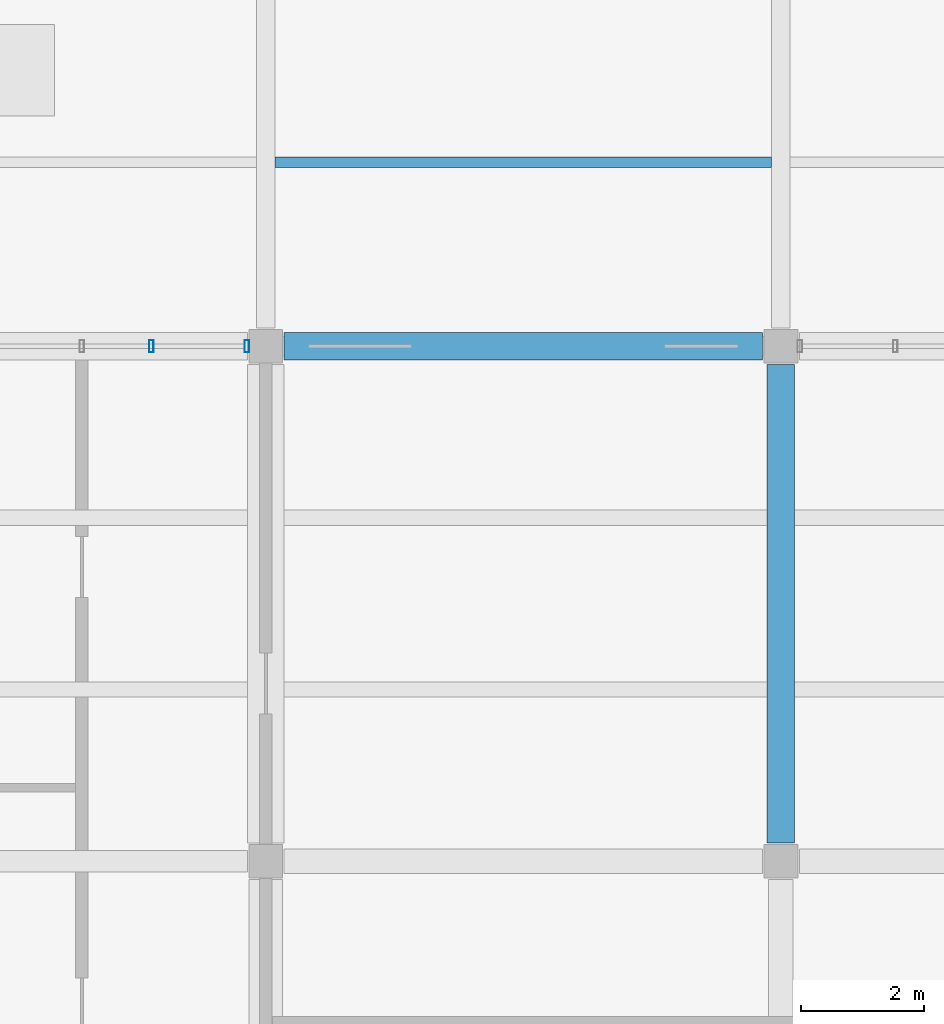
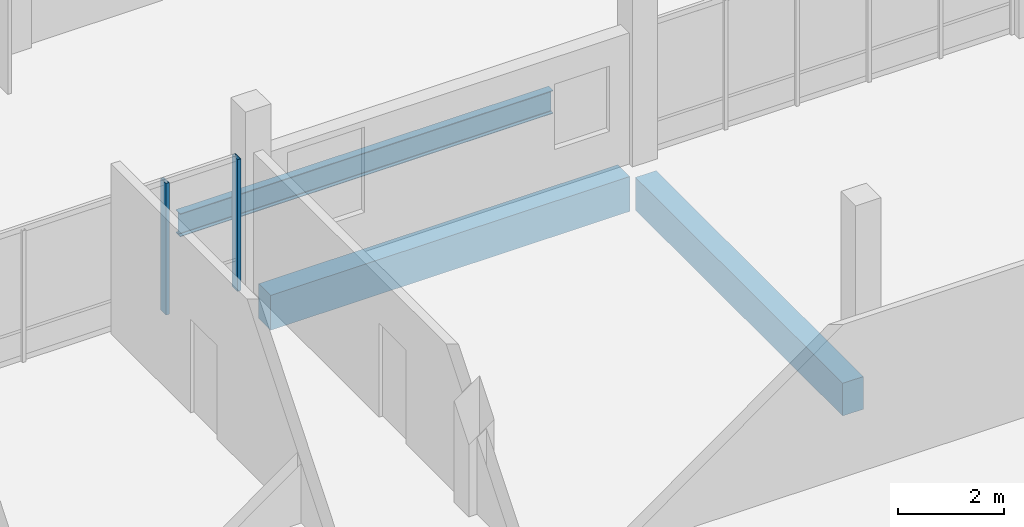
# One storey, part 53 of 130: 3 beams, 2 members, 1 element without a shape of its own.
"""IFC4 building model written with IfcOpenShell, lengths in metres."""

from ifc_helpers import new_model, si_unit, direction, frame, origin, origin_2d, place, context, subcontext, project, spatial, rectangle, hollow_rectangle, i_section, extrude, material, layer, layer_set, material_profile, profile_set, type_object, element, aggregate, save


model = new_model("IFC4")

# Units and contexts
model_context = context("Model", 3, precision=1e-05, world=origin(), true_north=direction((0.0, 1.0)))
body_context = subcontext(model_context, "Body", "Model", "MODEL_VIEW")
ifc_project = project(units=[si_unit("LENGTHUNIT", "METRE"), si_unit("AREAUNIT", "SQUARE_METRE"), si_unit("VOLUMEUNIT", "CUBIC_METRE"), si_unit("PLANEANGLEUNIT", "RADIAN"), si_unit("MASSUNIT", "GRAM", prefix="KILO")], contexts=[model_context])

# Site, building, storey
site_placement = place(None, origin())
site = spatial("IfcSite", under=ifc_project, at=site_placement, CompositionType="ELEMENT")
building_placement = place(site_placement, origin())
building = spatial("IfcBuilding", under=site, at=building_placement, Name="Vireocrest Preparatory School", CompositionType="ELEMENT")
storey_placement = place(building_placement, frame((0.0, 0.0, 9.0)))
storey = spatial("IfcBuildingStorey", under=building, at=storey_placement, Name="L02", CompositionType="ELEMENT", Elevation=9.0)

# Curtain wall, members
ifc_material_1 = material(Name="Thermally broken aluminium EN AW-6063-T6", Category="aluminium")
ifc_layer = layer(ifc_material_1, 0.179931640625)
ifc_layer_set = layer_set([ifc_layer], Name="Thermally broken aluminium EN AW-6063-T6")
curtain_wall_type = type_object("IfcCurtainWallType", Name="North Street Curtain Wall 8400x4000", PredefinedType="USERDEFINED", material=ifc_layer_set)
curtain_wall_placement = place(storey_placement, origin())
curtain_wall = element("IfcCurtainWall", 1, at=curtain_wall_placement, inside=storey, type_object=curtain_wall_type, Name="Curtain Wall CW05 CW_L02_CW05_0422_0858_090", ObjectType="CURTAIN WALL", PredefinedType="USERDEFINED")
ifc_material_profile_1 = material_profile(ifc_material_1, hollow_rectangle(XDim=0.074951171875, YDim=0.199951171875, WallThickness=0.0048828125, at=origin_2d()), Name="ALU 75x200x5")
ifc_profile_set_1 = profile_set([ifc_material_profile_1], Name="Thermally broken aluminium EN AW-6063-T6")
member_type = type_object("IfcMemberType", Name="CW Mullion 75x200x5", PredefinedType="MULLION", material=ifc_profile_set_1)
member_1_placement = place(storey_placement, frame((48.533935546875, 85.800048828125, 0.0), z_axis=(0.0, 0.0, 1.0), x_axis=(1.0, 0.0, 0.0)))
member_1 = element("IfcMember", 2, at=member_1_placement, type_object=member_type, Name="CW Mullion ML3 CW_L02_CW05_0422_0858_090-5", PredefinedType="MULLION", context=body_context, shape_type="SweptSolid", body=[
    extrude(hollow_rectangle(XDim=0.074951171875, YDim=0.199951171875, WallThickness=0.0048828125, at=origin_2d()), origin(), (0.0, 0.0, 1.0), 3.02490234375),
])
member_2_placement = place(storey_placement, frame((50.090087890625, 85.800048828125, 0.0), z_axis=(0.0, 0.0, 1.0), x_axis=(1.0, 0.0, 0.0)))
member_2 = element("IfcMember", 3, at=member_2_placement, type_object=member_type, Name="CW Mullion ML3 CW_L02_CW05_0422_0858_090-6", PredefinedType="MULLION", context=body_context, shape_type="SweptSolid", body=[
    extrude(hollow_rectangle(XDim=0.074951171875, YDim=0.199951171875, WallThickness=0.0048828125, at=origin_2d()), origin(), (0.0, 0.0, 1.0), 3.02490234375),
])
aggregate(curtain_wall, [member_1, member_2])

# Beams
ifc_material_2 = material(Name="Structural steel ASTM A992 Grade 50", Category="steel")
ifc_material_profile_2 = material_profile(ifc_material_2, i_section(OverallWidth=0.166015625, OverallDepth=0.529052734375, WebThickness=0.009765625, FlangeThickness=0.013671875, FilletRadius=0.014892578125, at=origin_2d()), Name="W21X50")
ifc_profile_set_2 = profile_set([ifc_material_profile_2], Name="Structural steel ASTM A992 Grade 50")
beam_type_1 = type_object("IfcBeamType", Name="Pavilion Roof Joist W21X50", PredefinedType="JOIST", material=ifc_profile_set_2)
beam_1_placement = place(storey_placement, frame((50.550048828125, 88.800048828125, -0.484619140625), z_axis=(1.0, 0.0, 0.0), x_axis=(0.0, 1.0, 0.0)))
element("IfcBeam", 4, at=beam_1_placement, inside=storey, type_object=beam_type_1, Name="Secondary Joist SJ1 L02-0922", PredefinedType="JOIST", context=body_context, shape_type="SweptSolid", body=[
    extrude(i_section(OverallWidth=0.166015625, OverallDepth=0.529052734375, WebThickness=0.009765625, FlangeThickness=0.013671875, FilletRadius=0.014892578125, at=origin_2d()), origin(), (0.0, 0.0, 1.0), 8.099853515625),
])
ifc_material_3 = material(Name="Concrete 40 MPa", Category="concrete")
ifc_material_profile_3 = material_profile(ifc_material_3, rectangle(XDim=0.449951171875, YDim=0.75, at=origin_2d()), Name="RC 450x750")
ifc_profile_set_3 = profile_set([ifc_material_profile_3], Name="Concrete 40 MPa")
beam_type_2 = type_object("IfcBeamType", Name="RC Library Stack Girder 450x750", PredefinedType="BEAM", material=ifc_profile_set_3)
beam_2_placement = place(storey_placement, frame((58.800048828125, 77.699951171875, -0.614990234375), z_axis=(0.0, 1.0, 0.0), x_axis=(-1.0, 0.0, 0.0)))
element("IfcBeam", 5, at=beam_2_placement, inside=storey, type_object=beam_type_2, Name="Primary Girder B11 L02-0814", PredefinedType="BEAM", context=body_context, shape_type="SweptSolid", body=[
    extrude(rectangle(XDim=0.449951171875, YDim=0.75, at=origin_2d()), origin(), (0.0, 0.0, 1.0), 7.800048828125),
])
ifc_material_profile_4 = material_profile(ifc_material_3, rectangle(XDim=0.449951171875, YDim=0.800048828125, at=origin_2d()), Name="RC 450x800")
ifc_profile_set_4 = profile_set([ifc_material_profile_4], Name="Concrete 40 MPa")
beam_type_3 = type_object("IfcBeamType", Name="RC Library Stack Girder 450x800", PredefinedType="BEAM", material=ifc_profile_set_4)
beam_3_placement = place(storey_placement, frame((50.699951171875, 85.800048828125, -0.639892578125), z_axis=(1.0, 0.0, 0.0), x_axis=(0.0, 1.0, 0.0)))
element("IfcBeam", 6, at=beam_3_placement, inside=storey, type_object=beam_type_3, Name="Primary Girder B12 L02-0748", PredefinedType="BEAM", context=body_context, shape_type="SweptSolid", body=[
    extrude(rectangle(XDim=0.449951171875, YDim=0.800048828125, at=origin_2d()), origin(), (0.0, 0.0, 1.0), 7.800048828125),
])

save(model, "model.ifc")
